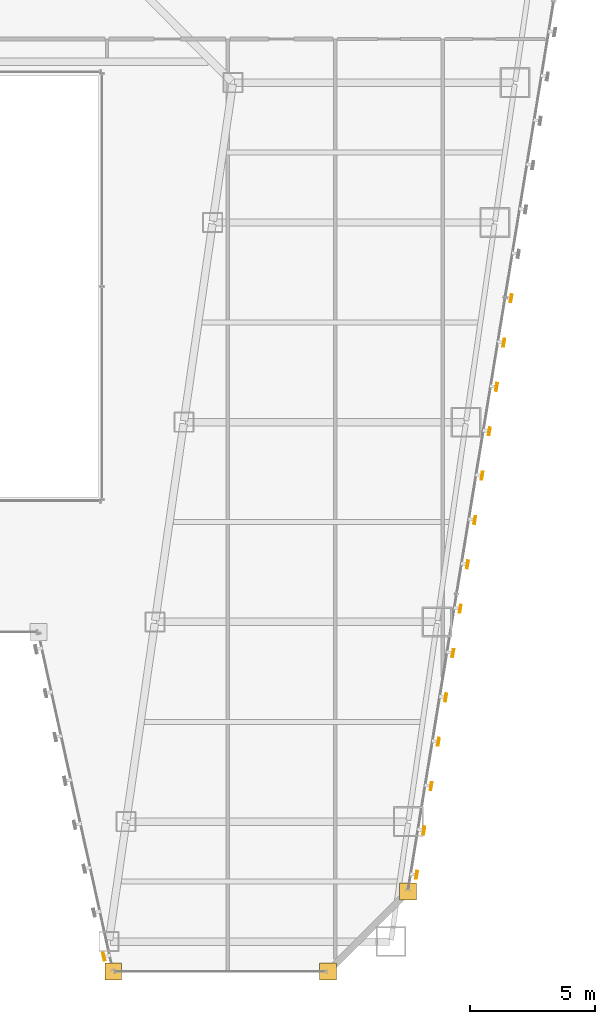
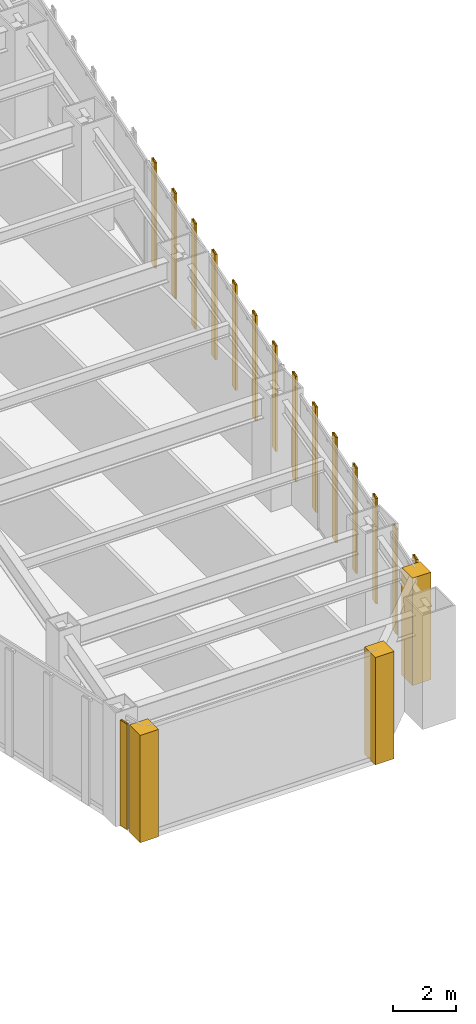
# One storey, part 44 of 47: 15 shading devices, 3 coverings.
"""IFC4 building model written with IfcOpenShell, lengths in metres."""

from ifc_helpers import new_model, si_unit, direction, frame, origin, origin_2d, place, context, subcontext, project, spatial, polyline, hollow_rectangle, outline, extrude, material, layer, layer_set, material_profile, profile_set, type_object, element, save


model = new_model("IFC4")

# Units and contexts
model_context = context("Model", 3, precision=1e-05, world=origin(), true_north=direction((0.0, 1.0)))
body_context = subcontext(model_context, "Body", "Model", "MODEL_VIEW")
ifc_project = project(units=[si_unit("LENGTHUNIT", "METRE"), si_unit("AREAUNIT", "SQUARE_METRE"), si_unit("VOLUMEUNIT", "CUBIC_METRE"), si_unit("PLANEANGLEUNIT", "RADIAN"), si_unit("MASSUNIT", "GRAM", prefix="KILO")], contexts=[model_context])

# Site, building, storey
site_placement = place(None, origin())
site = spatial("IfcSite", under=ifc_project, at=site_placement, CompositionType="ELEMENT")
building_placement = place(site_placement, origin())
building = spatial("IfcBuilding", under=site, at=building_placement, Name="Saevonmaru Cultural Tower", CompositionType="ELEMENT")
storey_placement = place(building_placement, frame((0.0, 0.0, 64.800048828125)))
storey = spatial("IfcBuildingStorey", under=building, at=storey_placement, Name="L13", CompositionType="ELEMENT", Elevation=64.800048828125)

# Coverings
ifc_material = material(Name="Satin Bronze Anodised Aluminium", Category="aluminium")
ifc_layer = layer(ifc_material, 0.679931640625, Name="Satin Bronze Anodised Aluminium")
ifc_layer_set = layer_set([ifc_layer], Name="Satin Bronze Anodised Aluminium")
covering_type = type_object("IfcCoveringType", Name="CV-CORNER-CLAD", PredefinedType="CLADDING", material=ifc_layer_set)
covering_1_placement = place(storey_placement, origin())
element("IfcCovering", 1, at=covering_1_placement, inside=storey, type_object=covering_type, Name="L13 Tower Bronze Corner Cladding Pier 6", PredefinedType="CLADDING", context=body_context, shape_type="SweptSolid", body=[
    extrude(outline(polyline([(36.06005859375, 1.659912109375), (36.739990234375, 1.659912109375), (36.739990234375, 2.340087890625), (36.06005859375, 2.340087890625), (36.06005859375, 1.659912109375)])), origin(), (0.0, 0.0, 1.0), 4.14990234375),
])
covering_2_placement = place(storey_placement, origin())
element("IfcCovering", 2, at=covering_2_placement, inside=storey, type_object=covering_type, Name="L13 Tower Bronze Corner Cladding Pier 7", PredefinedType="CLADDING", context=body_context, shape_type="SweptSolid", body=[
    extrude(outline(polyline([(44.659912109375, 1.659912109375), (45.340087890625, 1.659912109375), (45.340087890625, 2.340087890625), (44.659912109375, 2.340087890625), (44.659912109375, 1.659912109375)])), origin(), (0.0, 0.0, 1.0), 4.14990234375),
])
covering_3_placement = place(storey_placement, origin())
element("IfcCovering", 3, at=covering_3_placement, inside=storey, type_object=covering_type, Name="L13 Tower Bronze Corner Cladding Pier 8", PredefinedType="CLADDING", context=body_context, shape_type="SweptSolid", body=[
    extrude(outline(polyline([(47.860107421875, 4.860107421875), (48.5400390625, 4.860107421875), (48.5400390625, 5.5400390625), (47.860107421875, 5.5400390625), (47.860107421875, 4.860107421875)])), origin(), (0.0, 0.0, 1.0), 4.14990234375),
])

# Shading devices
ifc_material_profile = material_profile(ifc_material, hollow_rectangle(XDim=0.070068359375, YDim=0.320068359375, WallThickness=0.0048828125, at=origin_2d()), Name="FIN-320x70")
ifc_profile_set = profile_set([ifc_material_profile], Name="Satin Bronze Anodised Aluminium")
shading_device_type = type_object("IfcShadingDeviceType", Name="SHD-FIN-320", PredefinedType="JALOUSIE", material=ifc_profile_set)
for number, where, z_axis, x_axis, name in (
    (4, (36.022705078125, 2.59619140625, 0.050048828125), (0.0, 0.0, 1.0), (-0.976522126798, -0.215417120661, 0.0), "L13 Art Deco Sawtooth Bronze Fin E5-08"),
    (5, (48.552978515625, 5.869140625, 0.050048828125), (0.0, 0.0, 1.0), (0.986827496189, -0.161776057456, 0.0), "L13 Art Deco Sawtooth Bronze Fin E8-01"),
    (6, (48.843994140625, 7.6455078125, 0.050048828125), (0.0, 0.0, 1.0), (0.986827496189, -0.161776057456, 0.0), "L13 Art Deco Sawtooth Bronze Fin E8-02"),
    (7, (49.135009765625, 9.421875, 0.050048828125), (0.0, 0.0, 1.0), (0.986827496189, -0.161776057456, 0.0), "L13 Art Deco Sawtooth Bronze Fin E8-03"),
    (8, (49.426025390625, 11.197998046875, 0.050048828125), (0.0, 0.0, 1.0), (0.986827496189, -0.161776057456, 0.0), "L13 Art Deco Sawtooth Bronze Fin E8-04"),
    (9, (49.71728515625, 12.974365234375, 0.050048828125), (0.0, 0.0, 1.0), (0.986827496189, -0.161776057456, 0.0), "L13 Art Deco Sawtooth Bronze Fin E8-05"),
    (10, (50.00830078125, 14.750732421875, 0.050048828125), (0.0, 0.0, 1.0), (0.986827496189, -0.161776057456, 0.0), "L13 Art Deco Sawtooth Bronze Fin E8-06"),
    (11, (50.29931640625, 16.527099609375, 0.050048828125), (0.0, 0.0, 1.0), (0.986827496189, -0.161776057456, 0.0), "L13 Art Deco Sawtooth Bronze Fin E8-07"),
    (12, (50.59033203125, 18.30322265625, 0.050048828125), (0.0, 0.0, 1.0), (0.986827496189, -0.161776057456, 0.0), "L13 Art Deco Sawtooth Bronze Fin E8-08"),
    (13, (50.881591796875, 20.07958984375, 0.050048828125), (0.0, 0.0, 1.0), (0.986827496189, -0.161776057456, 0.0), "L13 Art Deco Sawtooth Bronze Fin E8-09"),
    (14, (51.172607421875, 21.85595703125, 0.050048828125), (0.0, 0.0, 1.0), (0.986827496189, -0.161776057456, 0.0), "L13 Art Deco Sawtooth Bronze Fin E8-10"),
    (15, (51.463623046875, 23.63232421875, 0.050048828125), (0.0, 0.0, 1.0), (0.986827496189, -0.161776057456, 0.0), "L13 Art Deco Sawtooth Bronze Fin E8-11"),
    (16, (51.754638671875, 25.40869140625, 0.050048828125), (0.0, 0.0, 1.0), (0.986827496189, -0.161776057456, 0.0), "L13 Art Deco Sawtooth Bronze Fin E8-12"),
    (17, (52.0458984375, 27.184814453125, 0.050048828125), (0.0, 0.0, 1.0), (0.986827496189, -0.161776057456, 0.0), "L13 Art Deco Sawtooth Bronze Fin E8-13"),
    (18, (52.3369140625, 28.961181640625, 0.050048828125), (0.0, 0.0, 1.0), (0.986827496189, -0.161776057456, 0.0), "L13 Art Deco Sawtooth Bronze Fin E8-14"),
):
    element("IfcShadingDevice", number, at=place(storey_placement, frame(where, z_axis=z_axis, x_axis=x_axis)), inside=storey, type_object=shading_device_type, Name=name, PredefinedType="JALOUSIE", context=body_context, shape_type="SweptSolid", body=[
        extrude(hollow_rectangle(XDim=0.070068359375, YDim=0.320068359375, WallThickness=0.0048828125, at=origin_2d()), origin(), (0.0, 0.0, 1.0), 4.079833984375),
    ])

save(model, "model.ifc")
